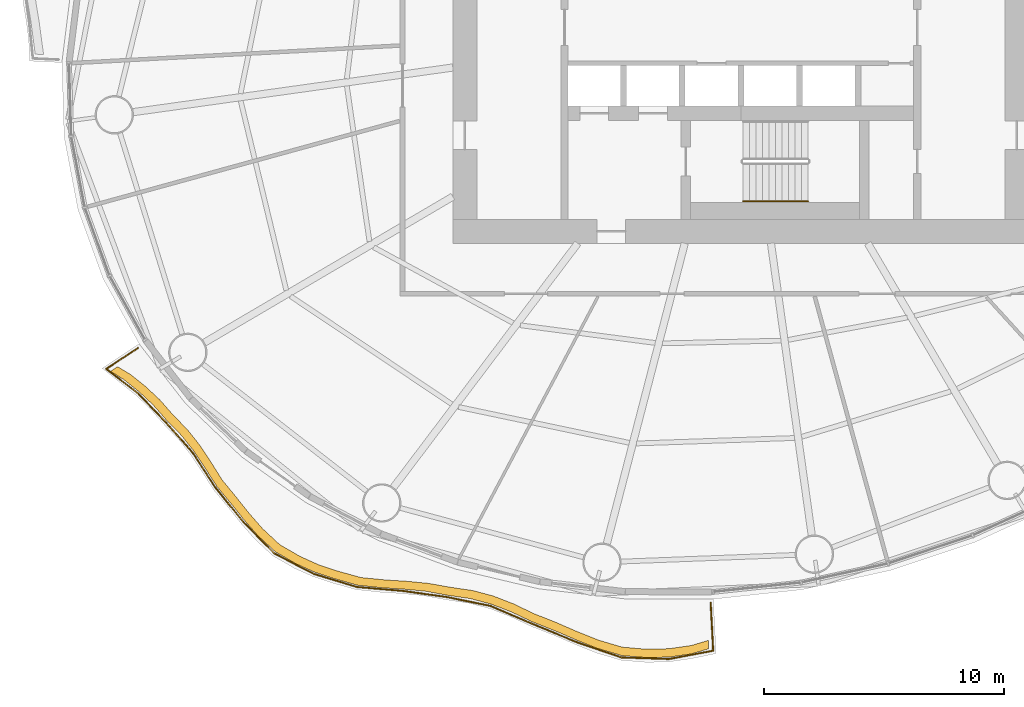
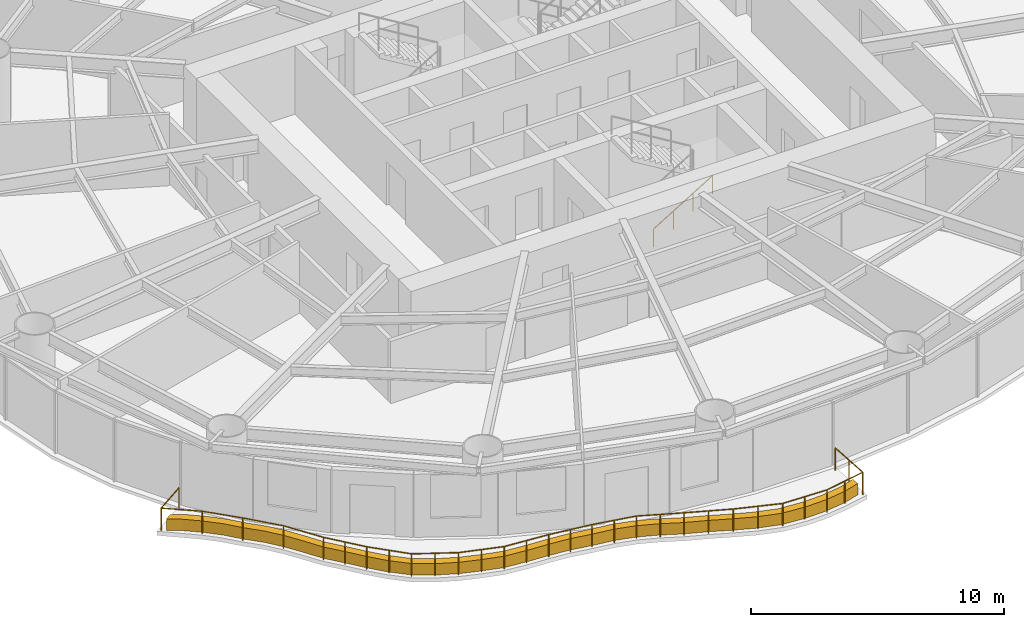
# One storey, part 12 of 16: 2 railings, 1 covering.
"""IFC4 building model written with IfcOpenShell, lengths in metres."""

from ifc_helpers import new_model, si_unit, direction, frame, origin, origin_2d, place, context, subcontext, project, spatial, polyline, circle, outline, extrude, material, type_object, element, save


model = new_model("IFC4")

# Units and contexts
model_context = context("Model", 3, precision=1e-05, world=origin(), true_north=direction((0.0, 1.0)))
body_context = subcontext(model_context, "Body", "Model", "MODEL_VIEW")
ifc_project = project(units=[si_unit("LENGTHUNIT", "METRE"), si_unit("AREAUNIT", "SQUARE_METRE"), si_unit("VOLUMEUNIT", "CUBIC_METRE"), si_unit("PLANEANGLEUNIT", "RADIAN"), si_unit("MASSUNIT", "GRAM", prefix="KILO")], contexts=[model_context])

# Site, building, storey
site_placement = place(None, origin())
site = spatial("IfcSite", under=ifc_project, at=site_placement, CompositionType="ELEMENT")
building_placement = place(site_placement, origin())
building = spatial("IfcBuilding", under=site, at=building_placement, Name="Vermilion Reach Broadcast Tower", CompositionType="ELEMENT")
storey_placement = place(building_placement, frame((0.0, 0.0, 95.800048828125)))
storey = spatial("IfcBuildingStorey", under=building, at=storey_placement, Name="L21", CompositionType="ELEMENT", Elevation=95.800048828125)

# Covering
ifc_material_1 = material(Name="Planting soil and greenery")
covering_type = type_object("IfcCoveringType", Name="Balcony PLANTER", PredefinedType="USERDEFINED", material=ifc_material_1)
covering_placement = place(storey_placement, origin())
element("IfcCovering", 1, at=covering_placement, inside=storey, type_object=covering_type, Name="PLANTER L21 group 3", ObjectType="PLANTER", PredefinedType="USERDEFINED", context=body_context, shape_type="SweptSolid", body=[
    extrude(outline(polyline([(-32.265625, -14.333740234375), (-31.709228515625, -14.67919921875), (-31.078125, -15.185302734375), (-30.4951171875, -15.728515625), (-29.923828125, -16.380615234375), (-29.306640625, -17.011474609375), (-28.802734375, -17.6474609375), (-28.345458984375, -18.33251953125), (-27.8369140625, -19.12939453125), (-27.2177734375, -19.876708984375), (-26.68408203125, -20.54736328125), (-26.12548828125, -21.182861328125), (-25.394775390625, -21.857666015625), (-24.520751953125, -22.362548828125), (-23.747802734375, -22.708740234375), (-22.93408203125, -22.977783203125), (-21.972412109375, -23.248046875), (-20.947021484375, -23.35595703125), (-20.04296875, -23.41259765625), (-19.1494140625, -23.498046875), (-18.213134765625, -23.667236328125), (-17.2626953125, -23.80908203125), (-16.40380859375, -24.035888671875), (-15.56787109375, -24.359619140625), (-14.6708984375, -24.7822265625), (-13.719482421875, -25.1552734375), (-12.85107421875, -25.53271484375), (-11.979248046875, -25.881103515625), (-10.967529296875, -26.178955078125), (-9.91357421875, -26.2666015625), (-8.99267578125, -26.2431640625), (-8.071533203125, -26.11328125), (-7.33642578125, -25.8974609375), (-7.3544921875, -25.5478515625), (-8.070556640625, -25.76318359375), (-8.99169921875, -25.89306640625), (-9.91259765625, -25.91650390625), (-10.946533203125, -25.82958984375), (-11.938720703125, -25.533447265625), (-12.810546875, -25.18505859375), (-13.678955078125, -24.807861328125), (-14.6103515625, -24.4375), (-15.487060546875, -24.01904296875), (-16.322998046875, -23.6953125), (-17.181884765625, -23.468505859375), (-18.11181640625, -23.332275390625), (-19.02783203125, -23.169677734375), (-19.921142578125, -23.08447265625), (-20.8251953125, -23.02783203125), (-21.830078125, -22.928466796875), (-22.771484375, -22.66796875), (-23.5849609375, -22.39892578125), (-24.358154296875, -22.052734375), (-25.21142578125, -21.5595703125), (-25.922607421875, -20.897705078125), (-26.481201171875, -20.26220703125), (-27.0146484375, -19.591552734375), (-27.6142578125, -18.859375), (-28.10400390625, -18.0791015625), (-28.5615234375, -17.39404296875), (-29.0654296875, -16.758056640625), (-29.664306640625, -16.145751953125), (-30.21875, -15.513671875), (-30.8017578125, -14.970458984375), (-31.432861328125, -14.46435546875), (-31.9736328125, -14.140869140625), (-32.265625, -14.333740234375)])), origin(), (0.0, 0.0, 1.0), 0.550048828125),
])

# Railings
ifc_material_2 = material(Name="Stainless steel 316 balustrade", Category="steel")
railing_type_1 = type_object("IfcRailingType", Name="Balcony guard 1100", PredefinedType="BALUSTRADE", material=ifc_material_2)
railing_1_placement = place(storey_placement, frame((-31.125244140625, -13.365966796875, 0.0)))
element("IfcRailing", 2, at=railing_1_placement, inside=storey, type_object=railing_type_1, Name="Balcony guard L21 group 3", PredefinedType="BALUSTRADE", context=body_context, shape_type="SweptSolid", body=[
    extrude(circle(Radius=0.02490234375, at=origin_2d()), frame((0.0, 0.0, 1.0751953125), z_axis=(-0.834539732237, -0.550947760971, 0.0), x_axis=(0.550947760971, -0.834539732237, 0.0)), (0.0, 0.0, 1.0), 1.578857421875),
    extrude(circle(Radius=0.02490234375, at=origin_2d()), frame((-1.317626953125, -0.869873046875, 1.0751953125), z_axis=(0.793397914971, -0.608703333752, 0.0), x_axis=(0.608703333752, 0.793397914971, 0.0)), (0.0, 0.0, 1.0), 1.640380859375),
    extrude(circle(Radius=0.02490234375, at=origin_2d()), frame((-0.01611328125, -1.868408203125, 1.0751953125), z_axis=(0.694479554007, -0.719512438437, 0.0), x_axis=(0.719512438437, 0.694479554007, 0.0)), (0.0, 0.0, 1.0), 1.667724609375),
    extrude(circle(Radius=0.02490234375, at=origin_2d()), frame((1.14208984375, -3.068359375, 1.0751953125), z_axis=(0.662800360762, -0.74879615502, 0.0), x_axis=(0.74879615502, 0.662800360762, 0.0)), (0.0, 0.0, 1.0), 1.69775390625),
    extrude(circle(Radius=0.02490234375, at=origin_2d()), frame((2.267333984375, -4.339599609375, 1.0751953125), z_axis=(0.546704246024, -0.837325783301, 0.0), x_axis=(0.837325783301, 0.546704246024, 0.0)), (0.0, 0.0, 1.0), 1.774169921875),
    extrude(circle(Radius=0.02490234375, at=origin_2d()), frame((3.2373046875, -5.8251953125, 1.0751953125), z_axis=(0.631444648426, -0.775420954047, 0.0), x_axis=(0.775420954047, 0.631444648426, 0.0)), (0.0, 0.0, 1.0), 1.8330078125),
    extrude(circle(Radius=0.02490234375, at=origin_2d()), frame((4.394775390625, -7.24658203125, 1.0751953125), z_axis=(0.701856615278, -0.712318251619, 0.0), x_axis=(0.712318251619, 0.701856615278, 0.0)), (0.0, 0.0, 1.0), 1.843505859375),
    extrude(circle(Radius=0.02490234375, at=origin_2d()), frame((5.688720703125, -8.559814453125, 1.0751953125), z_axis=(0.888332175629, -0.459201421755, 0.0), x_axis=(0.459201421755, 0.888332175629, 0.0)), (0.0, 0.0, 1.0), 1.859130859375),
    extrude(circle(Radius=0.02490234375, at=origin_2d()), frame((7.34033203125, -9.41357421875, 1.0751953125), z_axis=(0.956662754742, -0.291198169105, 0.0), x_axis=(0.291198169105, 0.956662754742, 0.0)), (0.0, 0.0, 1.0), 1.8603515625),
    extrude(circle(Radius=0.02490234375, at=origin_2d()), frame((9.1201171875, -9.955322265625, 1.0751953125), z_axis=(0.996327366018, -0.085625812249, 0.0), x_axis=(0.085625812249, 0.996327366018, 0.0)), (0.0, 0.0, 1.0), 1.941650390625),
    extrude(circle(Radius=0.02490234375, at=origin_2d()), frame((11.0546875, -10.12158203125, 1.0751953125), z_axis=(0.990374661158, -0.138412537497, 0.0), x_axis=(0.138412537497, 0.990374661158, 0.0)), (0.0, 0.0, 1.0), 1.85205078125),
    extrude(circle(Radius=0.02490234375, at=origin_2d()), frame((12.888916015625, -10.3779296875, 1.0751953125), z_axis=(0.97984358148, -0.199766252986, 0.0), x_axis=(0.199766252986, 0.97984358148, 0.0)), (0.0, 0.0, 1.0), 1.8515625),
    extrude(circle(Radius=0.02490234375, at=origin_2d()), frame((14.703125, -10.747802734375, 1.0751953125), z_axis=(0.918616710429, -0.395149768216, 0.0), x_axis=(0.395149768216, 0.918616710429, 0.0)), (0.0, 0.0, 1.0), 1.89111328125),
    extrude(circle(Radius=0.02490234375, at=origin_2d()), frame((16.4404296875, -11.4951171875, 1.0751953125), z_axis=(0.924726782441, -0.38063155129, 0.0), x_axis=(0.38063155129, 0.924726782441, 0.0)), (0.0, 0.0, 1.0), 1.972900390625),
    extrude(circle(Radius=0.02490234375, at=origin_2d()), frame((18.264892578125, -12.24609375, 1.0751953125), z_axis=(0.946045618109, -0.324033468111, 0.0), x_axis=(0.324033468111, 0.946045618109, 0.0)), (0.0, 0.0, 1.0), 1.995849609375),
    extrude(circle(Radius=0.02490234375, at=origin_2d()), frame((20.153076171875, -12.892822265625, 1.0751953125), z_axis=(0.999470068991, -0.032551208761, 0.0), x_axis=(0.032551208761, 0.999470068991, 0.0)), (0.0, 0.0, 1.0), 1.97998046875),
    extrude(circle(Radius=0.02490234375, at=origin_2d()), frame((22.132080078125, -12.957275390625, 1.0751953125), z_axis=(0.982842661013, 0.184445937047, 0.0), x_axis=(-0.184445937047, 0.982842661013, 0.0)), (0.0, 0.0, 1.0), 1.873046875),
    extrude(circle(Radius=0.02490234375, at=origin_2d()), frame((23.972900390625, -12.61181640625, 1.0751953125), z_axis=(-0.051592167122, 0.99866823735, 0.0), x_axis=(-0.99866823735, -0.051592167122, 0.0)), (0.0, 0.0, 1.0), 2.001708984375),
    extrude(circle(Radius=0.02490234375, at=origin_2d()), origin(), (0.0, 0.0, 1.0), 1.050048828125),
    extrude(circle(Radius=0.02490234375, at=origin_2d()), frame((-1.317626953125, -0.869873046875, 0.0)), (0.0, 0.0, 1.0), 1.050048828125),
    extrude(circle(Radius=0.02490234375, at=origin_2d()), frame((-0.01611328125, -1.868408203125, 0.0)), (0.0, 0.0, 1.0), 1.050048828125),
    extrude(circle(Radius=0.02490234375, at=origin_2d()), frame((1.14208984375, -3.068359375, 0.0)), (0.0, 0.0, 1.0), 1.050048828125),
    extrude(circle(Radius=0.02490234375, at=origin_2d()), frame((2.267333984375, -4.339599609375, 0.0)), (0.0, 0.0, 1.0), 1.050048828125),
    extrude(circle(Radius=0.02490234375, at=origin_2d()), frame((3.2373046875, -5.8251953125, 0.0)), (0.0, 0.0, 1.0), 1.050048828125),
    extrude(circle(Radius=0.02490234375, at=origin_2d()), frame((3.81591796875, -6.535888671875, 0.0)), (0.0, 0.0, 1.0), 1.050048828125),
    extrude(circle(Radius=0.02490234375, at=origin_2d()), frame((4.394775390625, -7.24658203125, 0.0)), (0.0, 0.0, 1.0), 1.050048828125),
    extrude(circle(Radius=0.02490234375, at=origin_2d()), frame((5.041748046875, -7.9033203125, 0.0)), (0.0, 0.0, 1.0), 1.050048828125),
    extrude(circle(Radius=0.02490234375, at=origin_2d()), frame((5.688720703125, -8.559814453125, 0.0)), (0.0, 0.0, 1.0), 1.050048828125),
    extrude(circle(Radius=0.02490234375, at=origin_2d()), frame((6.5146484375, -8.98681640625, 0.0)), (0.0, 0.0, 1.0), 1.050048828125),
    extrude(circle(Radius=0.02490234375, at=origin_2d()), frame((7.34033203125, -9.41357421875, 0.0)), (0.0, 0.0, 1.0), 1.050048828125),
    extrude(circle(Radius=0.02490234375, at=origin_2d()), frame((8.230224609375, -9.6845703125, 0.0)), (0.0, 0.0, 1.0), 1.050048828125),
    extrude(circle(Radius=0.02490234375, at=origin_2d()), frame((9.1201171875, -9.955322265625, 0.0)), (0.0, 0.0, 1.0), 1.050048828125),
    extrude(circle(Radius=0.02490234375, at=origin_2d()), frame((10.08740234375, -10.03857421875, 0.0)), (0.0, 0.0, 1.0), 1.050048828125),
    extrude(circle(Radius=0.02490234375, at=origin_2d()), frame((11.0546875, -10.12158203125, 0.0)), (0.0, 0.0, 1.0), 1.050048828125),
    extrude(circle(Radius=0.02490234375, at=origin_2d()), frame((11.9716796875, -10.249755859375, 0.0)), (0.0, 0.0, 1.0), 1.050048828125),
    extrude(circle(Radius=0.02490234375, at=origin_2d()), frame((12.888916015625, -10.3779296875, 0.0)), (0.0, 0.0, 1.0), 1.050048828125),
    extrude(circle(Radius=0.02490234375, at=origin_2d()), frame((13.7958984375, -10.56298828125, 0.0)), (0.0, 0.0, 1.0), 1.050048828125),
    extrude(circle(Radius=0.02490234375, at=origin_2d()), frame((14.703125, -10.747802734375, 0.0)), (0.0, 0.0, 1.0), 1.050048828125),
    extrude(circle(Radius=0.02490234375, at=origin_2d()), frame((15.57177734375, -11.12158203125, 0.0)), (0.0, 0.0, 1.0), 1.050048828125),
    extrude(circle(Radius=0.02490234375, at=origin_2d()), frame((16.4404296875, -11.4951171875, 0.0)), (0.0, 0.0, 1.0), 1.050048828125),
    extrude(circle(Radius=0.02490234375, at=origin_2d()), frame((17.3525390625, -11.87060546875, 0.0)), (0.0, 0.0, 1.0), 1.050048828125),
    extrude(circle(Radius=0.02490234375, at=origin_2d()), frame((18.264892578125, -12.24609375, 0.0)), (0.0, 0.0, 1.0), 1.050048828125),
    extrude(circle(Radius=0.02490234375, at=origin_2d()), frame((19.208984375, -12.5693359375, 0.0)), (0.0, 0.0, 1.0), 1.050048828125),
    extrude(circle(Radius=0.02490234375, at=origin_2d()), frame((20.153076171875, -12.892822265625, 0.0)), (0.0, 0.0, 1.0), 1.050048828125),
    extrude(circle(Radius=0.02490234375, at=origin_2d()), frame((21.142578125, -12.925048828125, 0.0)), (0.0, 0.0, 1.0), 1.050048828125),
    extrude(circle(Radius=0.02490234375, at=origin_2d()), frame((22.132080078125, -12.957275390625, 0.0)), (0.0, 0.0, 1.0), 1.050048828125),
    extrude(circle(Radius=0.02490234375, at=origin_2d()), frame((23.052490234375, -12.78466796875, 0.0)), (0.0, 0.0, 1.0), 1.050048828125),
    extrude(circle(Radius=0.02490234375, at=origin_2d()), frame((23.972900390625, -12.61181640625, 0.0)), (0.0, 0.0, 1.0), 1.050048828125),
    extrude(circle(Radius=0.02490234375, at=origin_2d()), frame((23.92138671875, -11.6123046875, 0.0)), (0.0, 0.0, 1.0), 1.050048828125),
    extrude(circle(Radius=0.02490234375, at=origin_2d()), frame((23.86962890625, -10.61279296875, 0.0)), (0.0, 0.0, 1.0), 1.050048828125),
])
ifc_material_3 = material(Name="Stainless steel", Category="steel")
railing_type_2 = type_object("IfcRailingType", Name="Stair handrail", PredefinedType="HANDRAIL", material=ifc_material_3)
railing_2_placement = place(storey_placement, frame((-5.89990234375, -7.25, 0.16357421875)))
element("IfcRailing", 3, at=railing_2_placement, inside=storey, type_object=railing_type_2, Name="L21 ST3 stair handrail 1", PredefinedType="HANDRAIL", context=body_context, shape_type="SweptSolid", body=[
    extrude(circle(Radius=0.02392578125, at=origin_2d()), frame((0.0, 0.0, 0.8759765625), z_axis=(0.855178096276, 0.0, 0.518334277904), x_axis=(0.0, 1.0, 0.0)), (0.0, 0.0, 1.0), 3.1572265625),
    extrude(circle(Radius=0.02099609375, at=origin_2d()), origin(), (0.0, 0.0, 1.0), 0.851806640625),
    extrude(circle(Radius=0.02099609375, at=origin_2d()), frame((0.89990234375, 0.0, 0.54541015625)), (0.0, 0.0, 1.0), 0.851806640625),
    extrude(circle(Radius=0.02099609375, at=origin_2d()), frame((1.800048828125, 0.0, 1.091064453125)), (0.0, 0.0, 1.0), 0.851806640625),
    extrude(circle(Radius=0.02099609375, at=origin_2d()), frame((2.699951171875, 0.0, 1.636474609375)), (0.0, 0.0, 1.0), 0.851806640625),
])

save(model, "model.ifc")
